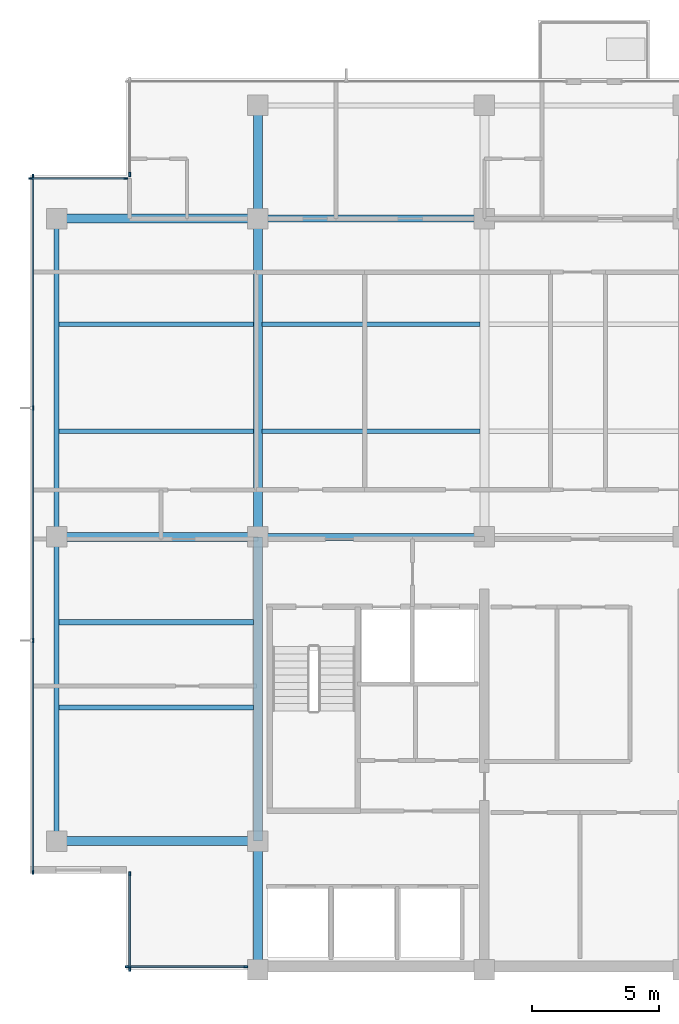
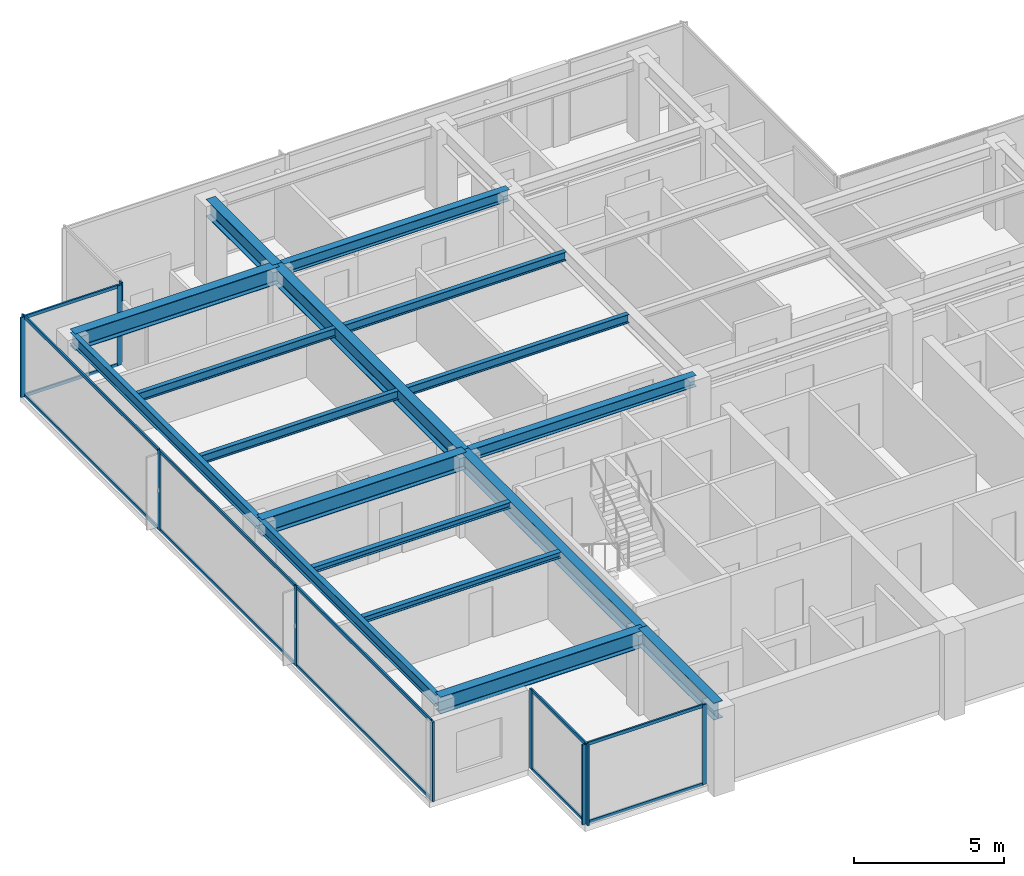
# One storey, part 2 of 11: 23 members, 17 beams, 5 elements without a shape of their own.
"""IFC4 building model written with IfcOpenShell, lengths in metres."""

from ifc_helpers import new_model, si_unit, direction, frame, origin, origin_2d, place, context, subcontext, project, spatial, rectangle, i_section, extrude, material, layer, layer_set, material_profile, profile_set, type_object, element, aggregate, save


model = new_model("IFC4")

# Units and contexts
model_context = context("Model", 3, precision=1e-05, world=origin(), true_north=direction((0.0, 1.0)))
body_context = subcontext(model_context, "Body", "Model", "MODEL_VIEW")
ifc_project = project(units=[si_unit("LENGTHUNIT", "METRE"), si_unit("AREAUNIT", "SQUARE_METRE"), si_unit("VOLUMEUNIT", "CUBIC_METRE"), si_unit("PLANEANGLEUNIT", "RADIAN"), si_unit("MASSUNIT", "GRAM", prefix="KILO")], contexts=[model_context])

# Site, building, storey
site_placement = place(None, origin())
site = spatial("IfcSite", under=ifc_project, at=site_placement, CompositionType="ELEMENT")
building_placement = place(site_placement, origin())
building = spatial("IfcBuilding", under=site, at=building_placement, Name="Qalmaran Belvedere Hotel", CompositionType="ELEMENT")
storey_placement = place(building_placement, frame((0.0, 0.0, 242.39990234375)))
storey = spatial("IfcBuildingStorey", under=building, at=storey_placement, Name="L62", CompositionType="ELEMENT", Elevation=242.39990234375)

# Beams
ifc_material_1 = material(Name="Steel S355JR", Category="steel")
ifc_material_profile_1 = material_profile(ifc_material_1, i_section(OverallWidth=0.201904296875, OverallDepth=0.2470703125, WebThickness=0.00732421875, FlangeThickness=0.010986328125, FilletRadius=0.011962890625, at=origin_2d()), Name="W250X49")
ifc_profile_set_1 = profile_set([ifc_material_profile_1], Name="Steel S355JR")
beam_type_1 = type_object("IfcBeamType", Name="BM-JST-W250X49", PredefinedType="JOIST", material=ifc_profile_set_1)
for number, where, z_axis, x_axis, name in (
    (1, (12.493896484375, 13.800048828125, 3.13671875), (1.0, 0.0, 0.0), (0.0, 1.0, 0.0), "L62 West Wing Joist 031"),
    (2, (12.493896484375, 17.14990234375, 3.13671875), (1.0, 0.0, 0.0), (0.0, 1.0, 0.0), "L62 West Wing Joist 033"),
):
    element("IfcBeam", number, at=place(storey_placement, frame(where, z_axis=z_axis, x_axis=x_axis)), inside=storey, type_object=beam_type_1, Name=name, PredefinedType="JOIST", context=body_context, shape_type="SweptSolid", body=[
        extrude(i_section(OverallWidth=0.201904296875, OverallDepth=0.2470703125, WebThickness=0.00732421875, FlangeThickness=0.010986328125, FilletRadius=0.011962890625, at=origin_2d()), origin(), (0.0, 0.0, 1.0), 7.630615234375),
    ])
ifc_material_profile_2 = material_profile(ifc_material_1, i_section(OverallWidth=0.172119140625, OverallDepth=0.35791015625, WebThickness=0.0078125, FlangeThickness=0.01318359375, FilletRadius=0.014892578125, at=origin_2d()), Name="W360X57")
ifc_profile_set_2 = profile_set([ifc_material_profile_2], Name="Steel S355JR")
beam_type_2 = type_object("IfcBeamType", Name="BM-SB4-W360X57", PredefinedType="BEAM", material=ifc_profile_set_2)
beam_1_placement = place(storey_placement, frame((12.493896484375, 24.64990234375, 3.0810546875), z_axis=(1.0, 0.0, 0.0), x_axis=(0.0, 1.0, 0.0)))
element("IfcBeam", 3, at=beam_1_placement, inside=storey, type_object=beam_type_2, Name="L62 West Secondary Beam 024", PredefinedType="BEAM", context=body_context, shape_type="SweptSolid", body=[
    extrude(i_section(OverallWidth=0.172119140625, OverallDepth=0.35791015625, WebThickness=0.0078125, FlangeThickness=0.01318359375, FilletRadius=0.014892578125, at=origin_2d()), origin(), (0.0, 0.0, 1.0), 7.630615234375),
])
beam_2_placement = place(storey_placement, frame((20.4755859375, 24.64990234375, 3.0810546875), z_axis=(1.0, 0.0, 0.0), x_axis=(0.0, 1.0, 0.0)))
element("IfcBeam", 4, at=beam_2_placement, inside=storey, type_object=beam_type_2, Name="L62 Secondary Floor Beam 025", PredefinedType="BEAM", context=body_context, shape_type="SweptSolid", body=[
    extrude(i_section(OverallWidth=0.172119140625, OverallDepth=0.35791015625, WebThickness=0.0078125, FlangeThickness=0.01318359375, FilletRadius=0.014892578125, at=origin_2d()), origin(), (0.0, 0.0, 1.0), 8.548828125),
])
beam_3_placement = place(storey_placement, frame((12.493896484375, 28.85009765625, 3.0810546875), z_axis=(1.0, 0.0, 0.0), x_axis=(0.0, 1.0, 0.0)))
element("IfcBeam", 5, at=beam_3_placement, inside=storey, type_object=beam_type_2, Name="L62 West Secondary Beam 028", PredefinedType="BEAM", context=body_context, shape_type="SweptSolid", body=[
    extrude(i_section(OverallWidth=0.172119140625, OverallDepth=0.35791015625, WebThickness=0.0078125, FlangeThickness=0.01318359375, FilletRadius=0.014892578125, at=origin_2d()), origin(), (0.0, 0.0, 1.0), 7.630615234375),
])
beam_4_placement = place(storey_placement, frame((20.4755859375, 28.85009765625, 3.0810546875), z_axis=(1.0, 0.0, 0.0), x_axis=(0.0, 1.0, 0.0)))
element("IfcBeam", 6, at=beam_4_placement, inside=storey, type_object=beam_type_2, Name="L62 Secondary Floor Beam 029", PredefinedType="BEAM", context=body_context, shape_type="SweptSolid", body=[
    extrude(i_section(OverallWidth=0.172119140625, OverallDepth=0.35791015625, WebThickness=0.0078125, FlangeThickness=0.01318359375, FilletRadius=0.014892578125, at=origin_2d()), origin(), (0.0, 0.0, 1.0), 8.548828125),
])
ifc_material_profile_3 = material_profile(ifc_material_1, i_section(OverallWidth=0.19189453125, OverallDepth=0.462890625, WebThickness=0.010498046875, FlangeThickness=0.017578125, FilletRadius=0.01611328125, at=origin_2d()), Name="W460X89")
ifc_profile_set_3 = profile_set([ifc_material_profile_3], Name="Steel S355JR")
beam_type_3 = type_object("IfcBeamType", Name="BM-SP2-W460X89", PredefinedType="SPANDREL", material=ifc_profile_set_3)
beam_5_placement = place(storey_placement, frame((12.39990234375, 8.550048828125, 3.028564453125), z_axis=(0.0, 1.0, 0.0), x_axis=(-1.0, 0.0, 0.0)))
element("IfcBeam", 7, at=beam_5_placement, inside=storey, type_object=beam_type_3, Name="L62 Perimeter Spandrel 01", PredefinedType="SPANDREL", context=body_context, shape_type="SweptSolid", body=[
    extrude(i_section(OverallWidth=0.19189453125, OverallDepth=0.462890625, WebThickness=0.010498046875, FlangeThickness=0.017578125, FilletRadius=0.01611328125, at=origin_2d()), origin(), (0.0, 0.0, 1.0), 11.949951171875),
])
beam_6_placement = place(storey_placement, frame((12.39990234375, 20.5, 3.028564453125), z_axis=(0.0, 1.0, 0.0), x_axis=(-1.0, 0.0, 0.0)))
element("IfcBeam", 8, at=beam_6_placement, inside=storey, type_object=beam_type_3, Name="L62 Perimeter Spandrel 02", PredefinedType="SPANDREL", context=body_context, shape_type="SweptSolid", body=[
    extrude(i_section(OverallWidth=0.19189453125, OverallDepth=0.462890625, WebThickness=0.010498046875, FlangeThickness=0.017578125, FilletRadius=0.01611328125, at=origin_2d()), origin(), (0.0, 0.0, 1.0), 12.5),
])
ifc_material_profile_4 = material_profile(ifc_material_1, i_section(OverallWidth=0.35498046875, OverallDepth=0.695068359375, WebThickness=0.015380859375, FlangeThickness=0.02490234375, FilletRadius=0.02197265625, at=origin_2d()), Name="W690X217")
ifc_profile_set_4 = profile_set([ifc_material_profile_4], Name="Steel S355JR")
beam_type_4 = type_object("IfcBeamType", Name="BM-Z1-W690X217", PredefinedType="USERDEFINED", material=ifc_profile_set_4)
beam_7_placement = place(storey_placement, frame((20.300048828125, 20.5, 2.91259765625), z_axis=(0.0, 1.0, 0.0), x_axis=(-1.0, 0.0, 0.0)))
element("IfcBeam", 9, at=beam_7_placement, inside=storey, type_object=beam_type_4, Name="L62 Mid-Plate N-S Girder 11", ObjectType="GIRDER", PredefinedType="USERDEFINED", context=body_context, shape_type="SweptSolid", body=[
    extrude(i_section(OverallWidth=0.35498046875, OverallDepth=0.695068359375, WebThickness=0.015380859375, FlangeThickness=0.02490234375, FilletRadius=0.02197265625, at=origin_2d()), origin(), (0.0, 0.0, 1.0), 12.5),
])
beam_8_placement = place(storey_placement, frame((20.300048828125, 33.0, 2.91259765625), z_axis=(0.0, 1.0, 0.0), x_axis=(-1.0, 0.0, 0.0)))
element("IfcBeam", 10, at=beam_8_placement, inside=storey, type_object=beam_type_4, Name="L62 North Bay Girder 12", ObjectType="GIRDER", PredefinedType="USERDEFINED", context=body_context, shape_type="SweptSolid", body=[
    extrude(i_section(OverallWidth=0.35498046875, OverallDepth=0.695068359375, WebThickness=0.015380859375, FlangeThickness=0.02490234375, FilletRadius=0.02197265625, at=origin_2d()), origin(), (0.0, 0.0, 1.0), 4.449951171875),
])
for number, where, z_axis, x_axis, name in (
    (11, (12.39990234375, 8.550048828125, 2.91259765625), (1.0, 0.0, 0.0), (0.0, 1.0, 0.0), "L62 West Wing Girder 19"),
    (12, (12.39990234375, 20.5, 2.91259765625), (1.0, 0.0, 0.0), (0.0, 1.0, 0.0), "L62 West Wing Girder 20"),
    (13, (12.39990234375, 33.0, 2.91259765625), (1.0, 0.0, 0.0), (0.0, 1.0, 0.0), "L62 West Wing Girder 21"),
):
    element("IfcBeam", number, at=place(storey_placement, frame(where, z_axis=z_axis, x_axis=x_axis)), inside=storey, type_object=beam_type_4, Name=name, ObjectType="GIRDER", PredefinedType="USERDEFINED", context=body_context, shape_type="SweptSolid", body=[
        extrude(i_section(OverallWidth=0.35498046875, OverallDepth=0.695068359375, WebThickness=0.015380859375, FlangeThickness=0.02490234375, FilletRadius=0.02197265625, at=origin_2d()), origin(), (0.0, 0.0, 1.0), 7.900146484375),
    ])
beam_9_placement = place(storey_placement, frame((20.300048828125, 3.5, 2.91259765625), z_axis=(0.0, 1.0, 0.0), x_axis=(-1.0, 0.0, 0.0)))
element("IfcBeam", 14, at=beam_9_placement, inside=storey, type_object=beam_type_4, Name="L62 West Core Edge Girder A", ObjectType="GIRDER", PredefinedType="USERDEFINED", context=body_context, shape_type="SweptSolid", body=[
    extrude(i_section(OverallWidth=0.35498046875, OverallDepth=0.695068359375, WebThickness=0.015380859375, FlangeThickness=0.02490234375, FilletRadius=0.02197265625, at=origin_2d()), origin(), (0.0, 0.0, 1.0), 5.050048828125),
])
beam_10_placement = place(storey_placement, frame((20.300048828125, 8.550048828125, 2.91259765625), z_axis=(0.0, 1.0, 0.0), x_axis=(-1.0, 0.0, 0.0)))
element("IfcBeam", 15, at=beam_10_placement, inside=storey, type_object=beam_type_4, Name="L62 West Core Edge Girder B", ObjectType="GIRDER", PredefinedType="USERDEFINED", context=body_context, shape_type="SweptSolid", body=[
    extrude(i_section(OverallWidth=0.35498046875, OverallDepth=0.695068359375, WebThickness=0.015380859375, FlangeThickness=0.02490234375, FilletRadius=0.02197265625, at=origin_2d()), origin(), (0.0, 0.0, 1.0), 11.949951171875),
])
ifc_material_profile_5 = material_profile(ifc_material_1, i_section(OverallWidth=0.280029296875, OverallDepth=0.462890625, WebThickness=0.0107421875, FlangeThickness=0.017333984375, FilletRadius=0.01611328125, at=origin_2d()), Name="W460X113")
ifc_profile_set_5 = profile_set([ifc_material_profile_5], Name="Steel S355JR")
beam_type_5 = type_object("IfcBeamType", Name="BM-Z5-W460X113", PredefinedType="USERDEFINED", material=ifc_profile_set_5)
for number, where, z_axis, x_axis, name in (
    (16, (20.300048828125, 20.5, 3.028564453125), (1.0, 0.0, 0.0), (0.0, 1.0, 0.0), "L62 Interior E-W Girder 06"),
    (17, (20.300048828125, 33.0, 3.028564453125), (1.0, 0.0, 0.0), (0.0, 1.0, 0.0), "L62 Interior E-W Girder 09"),
):
    element("IfcBeam", number, at=place(storey_placement, frame(where, z_axis=z_axis, x_axis=x_axis)), inside=storey, type_object=beam_type_5, Name=name, ObjectType="GIRDER", PredefinedType="USERDEFINED", context=body_context, shape_type="SweptSolid", body=[
        extrude(i_section(OverallWidth=0.280029296875, OverallDepth=0.462890625, WebThickness=0.0107421875, FlangeThickness=0.017333984375, FilletRadius=0.01611328125, at=origin_2d()), origin(), (0.0, 0.0, 1.0), 8.89990234375),
    ])

# Curtain wall, members
ifc_material_2 = material(Name="Anodised Bronze Aluminium", Category="aluminium")
ifc_layer = layer(ifc_material_2, 0.18505859375, Name="Anodised Bronze Aluminium")
ifc_layer_set = layer_set([ifc_layer], Name="Anodised Bronze Aluminium")
curtain_wall_type = type_object("IfcCurtainWallType", Name="CW6-TOWER-SKY", PredefinedType="NOTDEFINED", material=ifc_layer_set)
curtain_wall_1_placement = place(storey_placement, origin())
curtain_wall_1 = element("IfcCurtainWall", 18, at=curtain_wall_1_placement, inside=storey, type_object=curtain_wall_type, Name="L62 Curtain Wall CW6", PredefinedType="NOTDEFINED")
ifc_material_profile_6 = material_profile(ifc_material_2, rectangle(XDim=0.06494140625, YDim=0.1650390625, at=origin_2d()), Name="CWM65X165")
ifc_profile_set_6 = profile_set([ifc_material_profile_6], Name="Anodised Bronze Aluminium")
member_type_1 = type_object("IfcMemberType", Name="CWM-65X165", PredefinedType="MULLION", material=ifc_profile_set_6)
member_1_placement = place(storey_placement, frame((15.1826171875, 3.6201171875, 0.0), z_axis=(0.0, 0.0, 1.0), x_axis=(0.0, 1.0, 0.0)))
member_1 = element("IfcMember", 19, at=member_1_placement, type_object=member_type_1, Name="CW6 mullion 1", PredefinedType="MULLION", context=body_context, shape_type="SweptSolid", body=[
    extrude(rectangle(XDim=0.06494140625, YDim=0.1650390625, at=origin_2d()), origin(), (0.0, 0.0, 1.0), 3.260009765625),
])
member_2_placement = place(storey_placement, frame((19.827392578125, 3.6201171875, 0.0), z_axis=(0.0, 0.0, 1.0), x_axis=(0.0, 1.0, 0.0)))
member_2 = element("IfcMember", 20, at=member_2_placement, type_object=member_type_1, Name="CW6 mullion 2", PredefinedType="MULLION", context=body_context, shape_type="SweptSolid", body=[
    extrude(rectangle(XDim=0.06494140625, YDim=0.1650390625, at=origin_2d()), origin(), (0.0, 0.0, 1.0), 3.260009765625),
])

# Curtain wall, member
curtain_wall_2_placement = place(storey_placement, origin())
curtain_wall_2 = element("IfcCurtainWall", 21, at=curtain_wall_2_placement, inside=storey, type_object=curtain_wall_type, Name="L62 Curtain Wall CW6", PredefinedType="NOTDEFINED")
member_3_placement = place(storey_placement, frame((15.27001953125, 34.732421875, 0.0), z_axis=(0.0, 0.0, 1.0), x_axis=(1.0, 0.0, 0.0)))
member_3 = element("IfcMember", 22, at=member_3_placement, type_object=member_type_1, Name="CW6 mullion 2", PredefinedType="MULLION", context=body_context, shape_type="SweptSolid", body=[
    extrude(rectangle(XDim=0.06494140625, YDim=0.1650390625, at=origin_2d()), origin(), (0.0, 0.0, 1.0), 3.260009765625),
])
aggregate(curtain_wall_2, [member_3])

# Curtain wall, members
curtain_wall_3_placement = place(storey_placement, origin())
curtain_wall_3 = element("IfcCurtainWall", 23, at=curtain_wall_3_placement, inside=storey, type_object=curtain_wall_type, Name="L62 Curtain Wall CW6", PredefinedType="NOTDEFINED")
member_4_placement = place(storey_placement, frame((15.117431640625, 34.580078125, 0.0), z_axis=(0.0, 0.0, 1.0), x_axis=(0.0, -1.0, 0.0)))
member_4 = element("IfcMember", 24, at=member_4_placement, type_object=member_type_1, Name="CW6 mullion 1", PredefinedType="MULLION", context=body_context, shape_type="SweptSolid", body=[
    extrude(rectangle(XDim=0.06494140625, YDim=0.1650390625, at=origin_2d()), origin(), (0.0, 0.0, 1.0), 3.260009765625),
])
member_5_placement = place(storey_placement, frame((11.382568359375, 34.580078125, 0.0), z_axis=(0.0, 0.0, 1.0), x_axis=(0.0, -1.0, 0.0)))
member_5 = element("IfcMember", 25, at=member_5_placement, type_object=member_type_1, Name="CW6 mullion 2", PredefinedType="MULLION", context=body_context, shape_type="SweptSolid", body=[
    extrude(rectangle(XDim=0.06494140625, YDim=0.1650390625, at=origin_2d()), origin(), (0.0, 0.0, 1.0), 3.260009765625),
])

curtain_wall_4_placement = place(storey_placement, origin())
curtain_wall_4 = element("IfcCurtainWall", 26, at=curtain_wall_4_placement, inside=storey, type_object=curtain_wall_type, Name="L62 Curtain Wall CW6", PredefinedType="NOTDEFINED")
member_6_placement = place(storey_placement, frame((11.469970703125, 34.66748046875, 0.0), z_axis=(0.0, 0.0, 1.0), x_axis=(1.0, 0.0, 0.0)))
member_6 = element("IfcMember", 27, at=member_6_placement, type_object=member_type_1, Name="CW6 mullion 1", PredefinedType="MULLION", context=body_context, shape_type="SweptSolid", body=[
    extrude(rectangle(XDim=0.06494140625, YDim=0.1650390625, at=origin_2d()), origin(), (0.0, 0.0, 1.0), 3.260009765625),
])
member_7_placement = place(storey_placement, frame((11.469970703125, 25.566650390625, 0.0), z_axis=(0.0, 0.0, 1.0), x_axis=(1.0, 0.0, 0.0)))
member_7 = element("IfcMember", 28, at=member_7_placement, type_object=member_type_1, Name="CW6 mullion 2", PredefinedType="MULLION", context=body_context, shape_type="SweptSolid", body=[
    extrude(rectangle(XDim=0.06494140625, YDim=0.1650390625, at=origin_2d()), origin(), (0.0, 0.0, 1.0), 3.260009765625),
])
member_8_placement = place(storey_placement, frame((11.469970703125, 16.433349609375, 0.0), z_axis=(0.0, 0.0, 1.0), x_axis=(1.0, 0.0, 0.0)))
member_8 = element("IfcMember", 29, at=member_8_placement, type_object=member_type_1, Name="CW6 mullion 3", PredefinedType="MULLION", context=body_context, shape_type="SweptSolid", body=[
    extrude(rectangle(XDim=0.06494140625, YDim=0.1650390625, at=origin_2d()), origin(), (0.0, 0.0, 1.0), 3.260009765625),
])
member_9_placement = place(storey_placement, frame((11.469970703125, 7.33251953125, 0.0), z_axis=(0.0, 0.0, 1.0), x_axis=(1.0, 0.0, 0.0)))
member_9 = element("IfcMember", 30, at=member_9_placement, type_object=member_type_1, Name="CW6 mullion 4", PredefinedType="MULLION", context=body_context, shape_type="SweptSolid", body=[
    extrude(rectangle(XDim=0.06494140625, YDim=0.1650390625, at=origin_2d()), origin(), (0.0, 0.0, 1.0), 3.260009765625),
])

curtain_wall_5_placement = place(storey_placement, origin())
curtain_wall_5 = element("IfcCurtainWall", 31, at=curtain_wall_5_placement, inside=storey, type_object=curtain_wall_type, Name="L62 Curtain Wall CW6", PredefinedType="NOTDEFINED")
member_10_placement = place(storey_placement, frame((15.27001953125, 7.267578125, 0.0), z_axis=(0.0, 0.0, 1.0), x_axis=(1.0, 0.0, 0.0)))
member_10 = element("IfcMember", 32, at=member_10_placement, type_object=member_type_1, Name="CW6 mullion 1", PredefinedType="MULLION", context=body_context, shape_type="SweptSolid", body=[
    extrude(rectangle(XDim=0.06494140625, YDim=0.1650390625, at=origin_2d()), origin(), (0.0, 0.0, 1.0), 3.260009765625),
])
member_11_placement = place(storey_placement, frame((15.27001953125, 3.532470703125, 0.0), z_axis=(0.0, 0.0, 1.0), x_axis=(1.0, 0.0, 0.0)))
member_11 = element("IfcMember", 33, at=member_11_placement, type_object=member_type_1, Name="CW6 mullion 2", PredefinedType="MULLION", context=body_context, shape_type="SweptSolid", body=[
    extrude(rectangle(XDim=0.06494140625, YDim=0.1650390625, at=origin_2d()), origin(), (0.0, 0.0, 1.0), 3.260009765625),
])

# Member
ifc_material_profile_7 = material_profile(ifc_material_2, rectangle(XDim=0.06494140625, YDim=0.1298828125, at=origin_2d()), Name="CWT65X130")
ifc_profile_set_7 = profile_set([ifc_material_profile_7], Name="Anodised Bronze Aluminium")
member_type_2 = type_object("IfcMemberType", Name="CWT-65X130", PredefinedType="USERDEFINED", material=ifc_profile_set_7)
member_12_placement = place(storey_placement, frame((15.215087890625, 3.6201171875, 0.03271484375), z_axis=(1.0, 0.0, 0.0), x_axis=(0.0, 1.0, 0.0)))
member_12 = element("IfcMember", 34, at=member_12_placement, type_object=member_type_2, Name="CW6 transom 1.1", ObjectType="TRANSOM", PredefinedType="USERDEFINED", context=body_context, shape_type="SweptSolid", body=[
    extrude(rectangle(XDim=0.06494140625, YDim=0.1298828125, at=origin_2d()), origin(), (0.0, 0.0, 1.0), 4.579833984375),
])

member_13_placement = place(storey_placement, frame((15.215087890625, 3.6201171875, 3.2275390625), z_axis=(1.0, 0.0, 0.0), x_axis=(0.0, 1.0, 0.0)))
member_13 = element("IfcMember", 35, at=member_13_placement, type_object=member_type_2, Name="CW6 transom 1.2", ObjectType="TRANSOM", PredefinedType="USERDEFINED", context=body_context, shape_type="SweptSolid", body=[
    extrude(rectangle(XDim=0.06494140625, YDim=0.1298828125, at=origin_2d()), origin(), (0.0, 0.0, 1.0), 4.579833984375),
])

aggregate(curtain_wall_1, [member_1, member_2, member_12, member_13])

member_14_placement = place(storey_placement, frame((15.0849609375, 34.580078125, 0.03271484375), z_axis=(-1.0, 0.0, 0.0), x_axis=(0.0, -1.0, 0.0)))
member_14 = element("IfcMember", 36, at=member_14_placement, type_object=member_type_2, Name="CW6 transom 1.1", ObjectType="TRANSOM", PredefinedType="USERDEFINED", context=body_context, shape_type="SweptSolid", body=[
    extrude(rectangle(XDim=0.06494140625, YDim=0.1298828125, at=origin_2d()), origin(), (0.0, 0.0, 1.0), 3.669921875),
])

member_15_placement = place(storey_placement, frame((15.0849609375, 34.580078125, 3.2275390625), z_axis=(-1.0, 0.0, 0.0), x_axis=(0.0, -1.0, 0.0)))
member_15 = element("IfcMember", 37, at=member_15_placement, type_object=member_type_2, Name="CW6 transom 1.2", ObjectType="TRANSOM", PredefinedType="USERDEFINED", context=body_context, shape_type="SweptSolid", body=[
    extrude(rectangle(XDim=0.06494140625, YDim=0.1298828125, at=origin_2d()), origin(), (0.0, 0.0, 1.0), 3.669921875),
])

aggregate(curtain_wall_3, [member_4, member_5, member_14, member_15])

member_16_placement = place(storey_placement, frame((11.469970703125, 34.635009765625, 0.03271484375), z_axis=(0.0, -1.0, 0.0), x_axis=(1.0, 0.0, 0.0)))
member_16 = element("IfcMember", 38, at=member_16_placement, type_object=member_type_2, Name="CW6 transom 1.1", ObjectType="TRANSOM", PredefinedType="USERDEFINED", context=body_context, shape_type="SweptSolid", body=[
    extrude(rectangle(XDim=0.06494140625, YDim=0.1298828125, at=origin_2d()), origin(), (0.0, 0.0, 1.0), 9.035888671875),
])

member_17_placement = place(storey_placement, frame((11.469970703125, 34.635009765625, 3.2275390625), z_axis=(0.0, -1.0, 0.0), x_axis=(1.0, 0.0, 0.0)))
member_17 = element("IfcMember", 39, at=member_17_placement, type_object=member_type_2, Name="CW6 transom 1.2", ObjectType="TRANSOM", PredefinedType="USERDEFINED", context=body_context, shape_type="SweptSolid", body=[
    extrude(rectangle(XDim=0.06494140625, YDim=0.1298828125, at=origin_2d()), origin(), (0.0, 0.0, 1.0), 9.035888671875),
])

member_18_placement = place(storey_placement, frame((11.469970703125, 25.5341796875, 0.03271484375), z_axis=(0.0, -1.0, 0.0), x_axis=(1.0, 0.0, 0.0)))
member_18 = element("IfcMember", 40, at=member_18_placement, type_object=member_type_2, Name="CW6 transom 2.1", ObjectType="TRANSOM", PredefinedType="USERDEFINED", context=body_context, shape_type="SweptSolid", body=[
    extrude(rectangle(XDim=0.06494140625, YDim=0.1298828125, at=origin_2d()), origin(), (0.0, 0.0, 1.0), 9.068359375),
])

member_19_placement = place(storey_placement, frame((11.469970703125, 25.5341796875, 3.2275390625), z_axis=(0.0, -1.0, 0.0), x_axis=(1.0, 0.0, 0.0)))
member_19 = element("IfcMember", 41, at=member_19_placement, type_object=member_type_2, Name="CW6 transom 2.2", ObjectType="TRANSOM", PredefinedType="USERDEFINED", context=body_context, shape_type="SweptSolid", body=[
    extrude(rectangle(XDim=0.06494140625, YDim=0.1298828125, at=origin_2d()), origin(), (0.0, 0.0, 1.0), 9.068359375),
])

member_20_placement = place(storey_placement, frame((11.469970703125, 16.40087890625, 0.03271484375), z_axis=(0.0, -1.0, 0.0), x_axis=(1.0, 0.0, 0.0)))
member_20 = element("IfcMember", 42, at=member_20_placement, type_object=member_type_2, Name="CW6 transom 3.1", ObjectType="TRANSOM", PredefinedType="USERDEFINED", context=body_context, shape_type="SweptSolid", body=[
    extrude(rectangle(XDim=0.06494140625, YDim=0.1298828125, at=origin_2d()), origin(), (0.0, 0.0, 1.0), 9.035888671875),
])

member_21_placement = place(storey_placement, frame((11.469970703125, 16.40087890625, 3.2275390625), z_axis=(0.0, -1.0, 0.0), x_axis=(1.0, 0.0, 0.0)))
member_21 = element("IfcMember", 43, at=member_21_placement, type_object=member_type_2, Name="CW6 transom 3.2", ObjectType="TRANSOM", PredefinedType="USERDEFINED", context=body_context, shape_type="SweptSolid", body=[
    extrude(rectangle(XDim=0.06494140625, YDim=0.1298828125, at=origin_2d()), origin(), (0.0, 0.0, 1.0), 9.035888671875),
])

aggregate(curtain_wall_4, [member_6, member_7, member_8, member_9, member_16, member_17, member_18, member_19, member_20, member_21])

member_22_placement = place(storey_placement, frame((15.27001953125, 7.235107421875, 0.03271484375), z_axis=(0.0, -1.0, 0.0), x_axis=(1.0, 0.0, 0.0)))
member_22 = element("IfcMember", 44, at=member_22_placement, type_object=member_type_2, Name="CW6 transom 1.1", ObjectType="TRANSOM", PredefinedType="USERDEFINED", context=body_context, shape_type="SweptSolid", body=[
    extrude(rectangle(XDim=0.06494140625, YDim=0.1298828125, at=origin_2d()), origin(), (0.0, 0.0, 1.0), 3.670166015625),
])

member_23_placement = place(storey_placement, frame((15.27001953125, 7.235107421875, 3.2275390625), z_axis=(0.0, -1.0, 0.0), x_axis=(1.0, 0.0, 0.0)))
member_23 = element("IfcMember", 45, at=member_23_placement, type_object=member_type_2, Name="CW6 transom 1.2", ObjectType="TRANSOM", PredefinedType="USERDEFINED", context=body_context, shape_type="SweptSolid", body=[
    extrude(rectangle(XDim=0.06494140625, YDim=0.1298828125, at=origin_2d()), origin(), (0.0, 0.0, 1.0), 3.670166015625),
])

aggregate(curtain_wall_5, [member_10, member_11, member_22, member_23])

save(model, "model.ifc")
